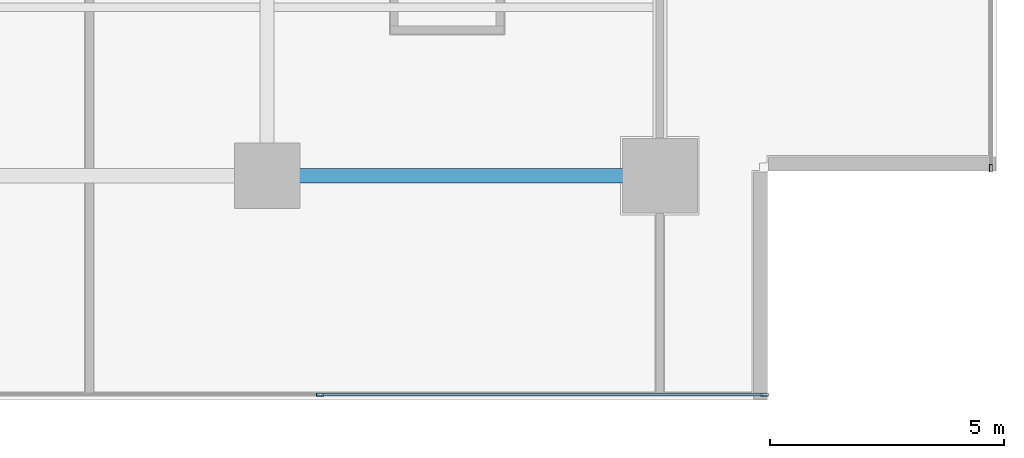
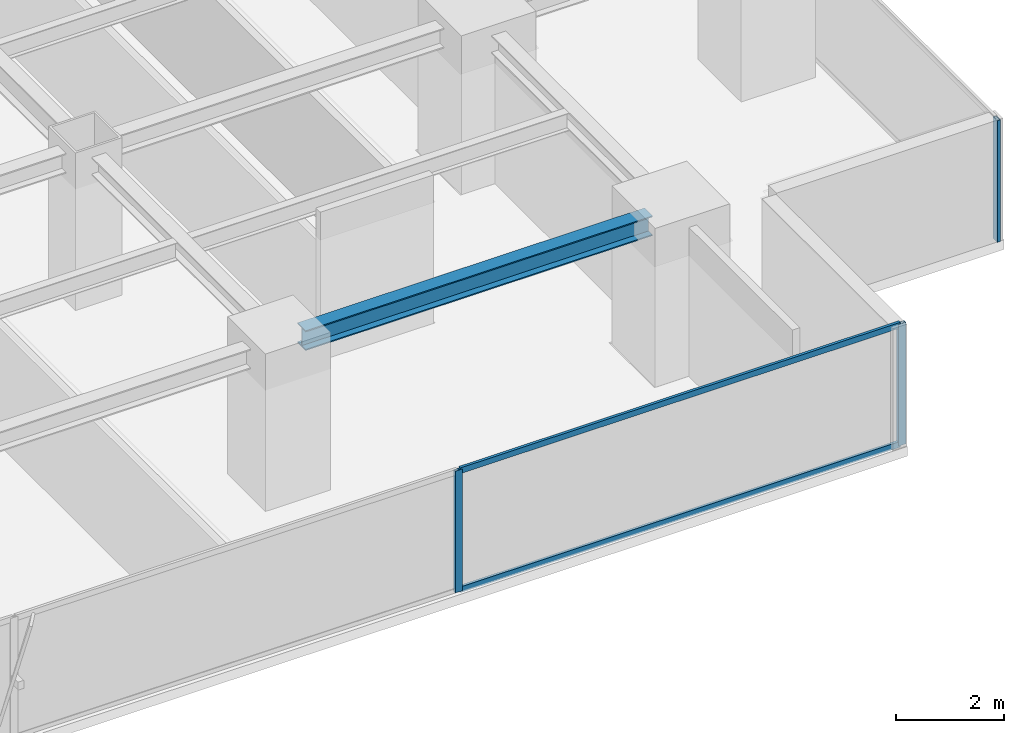
# One storey, part 9 of 27: 5 members, 1 beam, 2 elements without a shape of their own.
"""IFC4 building model written with IfcOpenShell, lengths in metres."""

from ifc_helpers import new_model, si_unit, direction, frame, origin, origin_2d, place, context, subcontext, project, spatial, hollow_rectangle, i_section, extrude, source, transform, mapped, material, layer, layer_set, material_profile, profile_set, type_object, element, aggregate, save


model = new_model("IFC4")

# Units and contexts
model_context = context("Model", 3, precision=1e-05, world=origin(), true_north=direction((0.0, 1.0)))
body_context = subcontext(model_context, "Body", "Model", "MODEL_VIEW")
ifc_project = project(units=[si_unit("LENGTHUNIT", "METRE"), si_unit("AREAUNIT", "SQUARE_METRE"), si_unit("VOLUMEUNIT", "CUBIC_METRE"), si_unit("PLANEANGLEUNIT", "RADIAN"), si_unit("MASSUNIT", "GRAM", prefix="KILO")], contexts=[model_context])

# Site, building, storey
site_placement = place(None, origin())
site = spatial("IfcSite", under=ifc_project, at=site_placement, CompositionType="ELEMENT")
building_placement = place(site_placement, origin())
building = spatial("IfcBuilding", under=site, at=building_placement, Name="Sumidabori Civic Tower", CompositionType="ELEMENT")
storey_placement = place(building_placement, frame((0.0, 0.0, 164.0)))
storey = spatial("IfcBuildingStorey", under=building, at=storey_placement, Name="L42", CompositionType="ELEMENT", Elevation=164.0)

# Beam
ifc_material_1 = material(Name="Steel SN490", Category="steel")
ifc_material_profile_1 = material_profile(ifc_material_1, i_section(OverallWidth=0.300048828125, OverallDepth=0.449951171875, WebThickness=0.013916015625, FlangeThickness=0.02587890625, at=origin_2d()), Name="HE 450 B")
ifc_profile_set_1 = profile_set([ifc_material_profile_1], Name="Steel SN490")
beam_type = type_object("IfcBeamType", Name="BM-GIRD-450", PredefinedType="BEAM", material=ifc_profile_set_1)
shared_shape_1 = source(origin(), body_context, "Body", "SweptSolid", [
    extrude(i_section(OverallWidth=0.300048828125, OverallDepth=0.449951171875, WebThickness=0.013916015625, FlangeThickness=0.02587890625, at=origin_2d()), origin(), (0.0, 0.0, 1.0), 7.440185546875),
])
beam_placement = place(storey_placement, frame((8.8798828125, -18.0, 3.155029296875), z_axis=(1.0, 0.0, 0.0), x_axis=(0.0, 1.0, 0.0)))
element("IfcBeam", 1, at=beam_placement, inside=storey, type_object=beam_type, Name="Primary Girder L42 GX-04", PredefinedType="BEAM", context=body_context, shape_type="MappedRepresentation", body=[
    mapped(shared_shape_1, transform((0.0, 0.0, 0.0), x_axis=(1.0, 0.0, 0.0), y_axis=(0.0, 1.0, 0.0), z_axis=(0.0, 0.0, 1.0), scale=1.0)),
])

# Curtain wall, members
ifc_material_2 = material(Name="Anodised Bronze Aluminium AW-6063-T6", Category="aluminium")
ifc_layer = layer(ifc_material_2, 0.179931640625, Name="Anodised Bronze Aluminium AW-6063-T6")
ifc_layer_set = layer_set([ifc_layer], Name="Anodised Bronze Aluminium AW-6063-T6")
curtain_wall_type = type_object("IfcCurtainWallType", Name="CW-SYS-3", PredefinedType="NOTDEFINED", material=ifc_layer_set)
curtain_wall_1_placement = place(storey_placement, origin())
curtain_wall_1 = element("IfcCurtainWall", 2, at=curtain_wall_1_placement, inside=storey, type_object=curtain_wall_type, Name="Curtain Wall CW:L42:R01", PredefinedType="NOTDEFINED")
ifc_material_profile_2 = material_profile(ifc_material_2, hollow_rectangle(XDim=0.06494140625, YDim=0.159912109375, WallThickness=0.0048828125, at=origin_2d()), Name="ALU MULLION 160x65")
ifc_profile_set_2 = profile_set([ifc_material_profile_2], Name="Anodised Bronze Aluminium AW-6063-T6")
member_type_1 = type_object("IfcMemberType", Name="CW-MUL-160", PredefinedType="MULLION", material=ifc_profile_set_2)
shared_shape_2 = source(origin(), body_context, "Body", "SweptSolid", [
    extrude(hollow_rectangle(XDim=0.06494140625, YDim=0.159912109375, WallThickness=0.0048828125, at=origin_2d()), origin(), (0.0, 0.0, 1.0), 2.760009765625),
])
member_1_placement = place(storey_placement, frame((9.534912109375, -22.679931640625, 0.0), z_axis=(0.0, 0.0, 1.0), x_axis=(0.0, 1.0, 0.0)))
member_1 = element("IfcMember", 3, at=member_1_placement, type_object=member_type_1, Name="CW-3 mullion 4", PredefinedType="MULLION", context=body_context, shape_type="MappedRepresentation", body=[
    mapped(shared_shape_2, transform((0.0, 0.0, 0.0), x_axis=(1.0, 0.0, 0.0), y_axis=(0.0, 1.0, 0.0), z_axis=(0.0, 0.0, 1.0), scale=1.0)),
])
member_2_placement = place(storey_placement, frame((19.03759765625, -22.679931640625, 0.0), z_axis=(0.0, 0.0, 1.0), x_axis=(0.0, 1.0, 0.0)))
member_2 = element("IfcMember", 4, at=member_2_placement, type_object=member_type_1, Name="CW-3 mullion 5", PredefinedType="MULLION", context=body_context, shape_type="MappedRepresentation", body=[
    mapped(shared_shape_2, transform((0.0, 0.0, 0.0), x_axis=(1.0, 0.0, 0.0), y_axis=(0.0, 1.0, 0.0), z_axis=(0.0, 0.0, 1.0), scale=1.0)),
])

# Curtain wall, member
curtain_wall_2_placement = place(storey_placement, origin())
curtain_wall_2 = element("IfcCurtainWall", 5, at=curtain_wall_2_placement, inside=storey, type_object=curtain_wall_type, Name="Curtain Wall CW:L42:R04", PredefinedType="NOTDEFINED")
member_3_placement = place(storey_placement, frame((23.8798828125, -17.83740234375, 0.0), z_axis=(0.0, 0.0, 1.0), x_axis=(-1.0, 0.0, 0.0)))
member_3 = element("IfcMember", 6, at=member_3_placement, type_object=member_type_1, Name="CW-3 mullion 1", PredefinedType="MULLION", context=body_context, shape_type="MappedRepresentation", body=[
    mapped(shared_shape_2, transform((0.0, 0.0, 0.0), x_axis=(1.0, 0.0, 0.0), y_axis=(0.0, 1.0, 0.0), z_axis=(0.0, 0.0, 1.0), scale=1.0)),
])
aggregate(curtain_wall_2, [member_3])

# Member
ifc_material_profile_3 = material_profile(ifc_material_2, hollow_rectangle(XDim=0.06005859375, YDim=0.1298828125, WallThickness=0.0048828125, at=origin_2d()), Name="ALU TRANSOM 130x60")
ifc_profile_set_3 = profile_set([ifc_material_profile_3], Name="Anodised Bronze Aluminium AW-6063-T6")
member_type_2 = type_object("IfcMemberType", Name="CW-TRN-130", PredefinedType="USERDEFINED", material=ifc_profile_set_3)
shared_shape_3 = source(origin(), body_context, "Body", "SweptSolid", [
    extrude(hollow_rectangle(XDim=0.06005859375, YDim=0.1298828125, WallThickness=0.0048828125, at=origin_2d()), origin(), (0.0, 0.0, 1.0), 9.4375),
])
member_4_placement = place(storey_placement, frame((9.5673828125, -22.679931640625, 0.030029296875), z_axis=(1.0, 0.0, 0.0), x_axis=(0.0, 1.0, 0.0)))
member_4 = element("IfcMember", 7, at=member_4_placement, type_object=member_type_2, Name="CW-3 transom 4.1", ObjectType="TRANSOM", PredefinedType="USERDEFINED", context=body_context, shape_type="MappedRepresentation", body=[
    mapped(shared_shape_3, transform((0.0, 0.0, 0.0), x_axis=(1.0, 0.0, 0.0), y_axis=(0.0, 1.0, 0.0), z_axis=(0.0, 0.0, 1.0), scale=1.0)),
])

member_5_placement = place(storey_placement, frame((9.5673828125, -22.679931640625, 2.72998046875), z_axis=(1.0, 0.0, 0.0), x_axis=(0.0, 1.0, 0.0)))
member_5 = element("IfcMember", 8, at=member_5_placement, type_object=member_type_2, Name="CW-3 transom 4.2", ObjectType="TRANSOM", PredefinedType="USERDEFINED", context=body_context, shape_type="MappedRepresentation", body=[
    mapped(shared_shape_3, transform((0.0, 0.0, 0.0), x_axis=(1.0, 0.0, 0.0), y_axis=(0.0, 1.0, 0.0), z_axis=(0.0, 0.0, 1.0), scale=1.0)),
])

aggregate(curtain_wall_1, [member_1, member_2, member_4, member_5])

save(model, "model.ifc")
